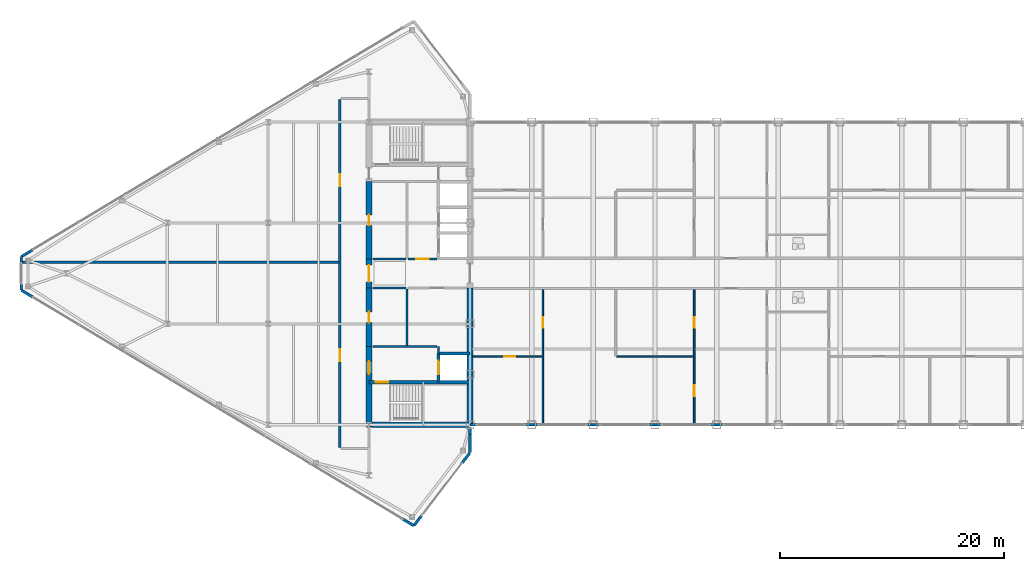
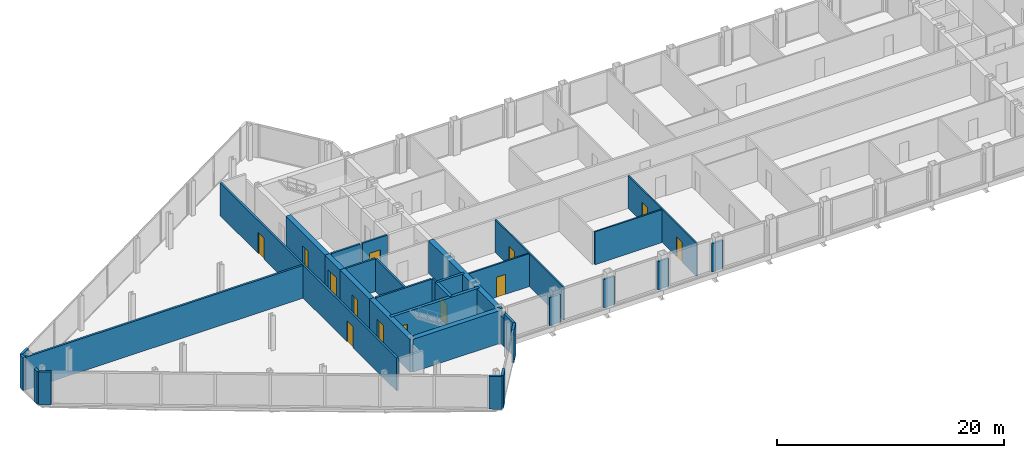
# One storey, part 21 of 28: 35 walls, 13 doors, 13 openings.
"""IFC4 building model written with IfcOpenShell, lengths in metres."""

from ifc_helpers import new_model, si_unit, direction, frame, frame_2d, origin, place, context, subcontext, project, spatial, rectangle, extrude, source, transform, mapped, material, layer, layer_set, type_object, type_shapes, element, fill, save


model = new_model("IFC4")

# Units and contexts
model_context = context("Model", 3, precision=1e-05, world=origin(), true_north=direction((0.0, 1.0)))
body_context = subcontext(model_context, "Body", "Model", "MODEL_VIEW")
ifc_project = project(units=[si_unit("LENGTHUNIT", "METRE"), si_unit("AREAUNIT", "SQUARE_METRE"), si_unit("VOLUMEUNIT", "CUBIC_METRE"), si_unit("PLANEANGLEUNIT", "RADIAN"), si_unit("MASSUNIT", "GRAM", prefix="KILO")], contexts=[model_context])

# Site, building, storey
site_placement = place(None, origin())
site = spatial("IfcSite", under=ifc_project, at=site_placement, CompositionType="ELEMENT")
building_placement = place(site_placement, origin())
building = spatial("IfcBuilding", under=site, at=building_placement, Name="Seokmaru Belvedere", CompositionType="ELEMENT")
storey_placement = place(building_placement, frame((0.0, 0.0, 261.89990234375)))
storey = spatial("IfcBuildingStorey", under=building, at=storey_placement, Name="L69", CompositionType="ELEMENT", Elevation=261.89990234375)

# Wall, opening, door
ifc_material_1 = material(Name="Fire-Rated Gypsum Shaftwall")
ifc_layer_1 = layer(ifc_material_1, 0.14990234375)
ifc_layer_set_1 = layer_set([ifc_layer_1], Name="Fire-Rated Gypsum Shaftwall")
wall_type_1 = type_object("IfcWallType", Name="Apartment Fire-Acoustic Room Partition 150", PredefinedType="PARTITIONING", material=ifc_layer_set_1)
wall_1_placement = place(storey_placement, frame((-27.2451171875, -7.419921875, 0.0), z_axis=(0.0, 0.0, 1.0), x_axis=(1.0, 0.0, 0.0)))
wall_1 = element("IfcWall", 1, at=wall_1_placement, inside=storey, type_object=wall_type_1, Name="L69 Interior Partition 004", PredefinedType="PARTITIONING", context=body_context, shape_type="SweptSolid", body=[
    extrude(rectangle(XDim=6.16015625, YDim=0.14990234375, at=frame_2d((3.080078125, 0.0))), origin(), (0.0, 0.0, 1.0), 3.530029296875),
])
opening_1_placement = place(wall_1_placement, frame((2.820068359375, 0.0, 0.0)))
opening_1 = element("IfcOpeningElement", 2, at=opening_1_placement, cuts=wall_1, Name="Opening D05", PredefinedType="OPENING", context=body_context, shape_type="SweptSolid", body=[
    extrude(rectangle(XDim=0.949951171875, YDim=2.14990234375, at=frame_2d((0.47509765625, 1.074951171875))), frame((0.0, 0.0849609375, 0.0), z_axis=(0.0, -1.0, 0.0), x_axis=(1.0, 0.0, 0.0)), (0.0, 0.0, 1.0), 0.169921875),
])
ifc_material_2 = material(Name="Engineered White Oak Timber", Category="wood")
door_type_1 = type_object("IfcDoorType", Name="Apartment Interior Fire-Rated Oak Door 950x2150", OperationType="NOTDEFINED", PredefinedType="DOOR", material=ifc_material_2)
shared_shape_1 = source(origin(), body_context, "Body", "SweptSolid", [
    extrude(rectangle(XDim=0.949951171875, YDim=2.14990234375, at=frame_2d((0.47509765625, 1.074951171875))), frame((0.0, 0.02490234375, 0.0), z_axis=(0.0, -1.0, 0.0), x_axis=(1.0, 0.0, 0.0)), (0.0, 0.0, 1.0), 0.050048828125),
])
type_shapes(door_type_1, [shared_shape_1])
door_1_placement = place(opening_1_placement, origin())
door_1 = element("IfcDoor", 3, at=door_1_placement, inside=storey, type_object=door_type_1, Name="L69 Interior Door 020", OperationType="SINGLE_SWING_RIGHT", OverallHeight=2.14990234375, OverallWidth=0.949951171875, PredefinedType="DOOR", context=body_context, shape_type="MappedRepresentation", body=[
    mapped(shared_shape_1, transform((0.0, 0.0, 0.0), scale=1.0)),
])
fill(opening_1, door_1)

# Wall
wall_2_placement = place(storey_placement, frame((-14.4150390625, -7.419921875, 0.0), z_axis=(0.0, 0.0, 1.0), x_axis=(1.0, 0.0, 0.0)))
element("IfcWall", 4, at=wall_2_placement, inside=storey, type_object=wall_type_1, Name="L69 Interior Partition 005", PredefinedType="PARTITIONING", context=body_context, shape_type="SweptSolid", body=[
    extrude(rectangle(XDim=6.830078125, YDim=0.14990234375, at=frame_2d((3.4150390625, 0.0))), origin(), (0.0, 0.0, 1.0), 3.530029296875),
])

# Wall, opening, door
wall_3_placement = place(storey_placement, frame((-21.0, -13.5, 0.0), z_axis=(0.0, 0.0, 1.0), x_axis=(0.0, 1.0, 0.0)))
wall_3 = element("IfcWall", 5, at=wall_3_placement, inside=storey, type_object=wall_type_1, Name="L69 Interior Partition 025", PredefinedType="PARTITIONING", context=body_context, shape_type="SweptSolid", body=[
    extrude(rectangle(XDim=12.06494140625, YDim=0.14990234375, at=frame_2d((6.032470703125, 0.0))), origin(), (0.0, 0.0, 1.0), 3.530029296875),
])
opening_2_placement = place(wall_3_placement, frame((8.637451171875, 0.0, 0.0)))
opening_2 = element("IfcOpeningElement", 6, at=opening_2_placement, cuts=wall_3, Name="Opening D05", PredefinedType="OPENING", context=body_context, shape_type="SweptSolid", body=[
    extrude(rectangle(XDim=0.949951171875, YDim=2.14990234375, at=frame_2d((0.47509765625, 1.074951171875))), frame((0.0, 0.0849609375, 0.0), z_axis=(0.0, -1.0, 0.0), x_axis=(1.0, 0.0, 0.0)), (0.0, 0.0, 1.0), 0.169921875),
])
door_2_placement = place(opening_2_placement, origin())
door_2 = element("IfcDoor", 7, at=door_2_placement, inside=storey, type_object=door_type_1, Name="L69 Interior Door 019", OperationType="SINGLE_SWING_LEFT", OverallHeight=2.14990234375, OverallWidth=0.949951171875, PredefinedType="DOOR", context=body_context, shape_type="MappedRepresentation", body=[
    mapped(shared_shape_1, transform((0.0, 0.0, 0.0), scale=1.0)),
])
fill(opening_2, door_2)

# Wall, openings, doors
wall_4_placement = place(storey_placement, frame((-7.5, -13.5, 0.0), z_axis=(0.0, 0.0, 1.0), x_axis=(0.0, 1.0, 0.0)))
wall_4 = element("IfcWall", 8, at=wall_4_placement, inside=storey, type_object=wall_type_1, Name="L69 Interior Partition 029", PredefinedType="PARTITIONING", context=body_context, shape_type="SweptSolid", body=[
    extrude(rectangle(XDim=12.06494140625, YDim=0.14990234375, at=frame_2d((6.032470703125, 0.0))), origin(), (0.0, 0.0, 1.0), 3.530029296875),
])
opening_3_placement = place(wall_4_placement, frame((8.637451171875, 0.0, 0.0)))
opening_3 = element("IfcOpeningElement", 9, at=opening_3_placement, cuts=wall_4, Name="Opening D05", PredefinedType="OPENING", context=body_context, shape_type="SweptSolid", body=[
    extrude(rectangle(XDim=0.949951171875, YDim=2.14990234375, at=frame_2d((0.47509765625, 1.074951171875))), frame((0.0, 0.0849609375, 0.0), z_axis=(0.0, -1.0, 0.0), x_axis=(1.0, 0.0, 0.0)), (0.0, 0.0, 1.0), 0.169921875),
])
opening_4_placement = place(wall_4_placement, frame((2.5625, 0.0, 0.0)))
opening_4 = element("IfcOpeningElement", 10, at=opening_4_placement, cuts=wall_4, Name="Opening D05", PredefinedType="OPENING", context=body_context, shape_type="SweptSolid", body=[
    extrude(rectangle(XDim=0.949951171875, YDim=2.14990234375, at=frame_2d((0.47509765625, 1.074951171875))), frame((0.0, 0.0849609375, 0.0), z_axis=(0.0, -1.0, 0.0), x_axis=(1.0, 0.0, 0.0)), (0.0, 0.0, 1.0), 0.169921875),
])
door_3_placement = place(opening_3_placement, origin())
door_3 = element("IfcDoor", 11, at=door_3_placement, inside=storey, type_object=door_type_1, Name="L69 Interior Door 017", OperationType="SINGLE_SWING_LEFT", OverallHeight=2.14990234375, OverallWidth=0.949951171875, PredefinedType="DOOR", context=body_context, shape_type="MappedRepresentation", body=[
    mapped(shared_shape_1, transform((0.0, 0.0, 0.0), scale=1.0)),
])
fill(opening_3, door_3)
door_4_placement = place(opening_4_placement, origin())
door_4 = element("IfcDoor", 12, at=door_4_placement, inside=storey, type_object=door_type_1, Name="L69 Interior Door 018", OperationType="SINGLE_SWING_RIGHT", OverallHeight=2.14990234375, OverallWidth=0.949951171875, PredefinedType="DOOR", context=body_context, shape_type="MappedRepresentation", body=[
    mapped(shared_shape_1, transform((0.0, 0.0, 0.0), scale=1.0)),
])
fill(opening_4, door_4)

# Walls
ifc_material_3 = material(Name="Anodised Bronze Aluminium", Category="aluminium")
ifc_layer_2 = layer(ifc_material_3, 0.2099609375)
ifc_layer_set_2 = layer_set([ifc_layer_2], Name="Anodised Bronze Aluminium")
wall_type_2 = type_object("IfcWallType", Name="Bridge Column Spandrel Closure Pier 210", PredefinedType="SOLIDWALL", material=ifc_layer_set_2)
wall_5_placement = place(storey_placement, frame((-27.489990234375, -13.5, 0.0), z_axis=(0.0, 0.0, 1.0), x_axis=(1.0, 0.0, 0.0)))
element("IfcWall", 13, at=wall_5_placement, inside=storey, type_object=wall_type_2, Name="L69 Bridge South Column Closure Pier 01", PredefinedType="SOLIDWALL", context=body_context, shape_type="SweptSolid", body=[
    extrude(rectangle(XDim=0.5400390625, YDim=0.2099609375, at=frame_2d((0.27001953125, 0.0))), origin(), (0.0, 0.0, 1.0), 3.030029296875),
])
for number, where, z_axis, x_axis, name in (
    (14, (-22.550048828125, -13.5, 0.0), (0.0, 0.0, 1.0), (1.0, 0.0, 0.0), "L69 Bridge South Column Closure Pier 02"),
    (15, (-17.050048828125, -13.5, 0.0), (0.0, 0.0, 1.0), (1.0, 0.0, 0.0), "L69 Bridge South Column Closure Pier 03"),
    (16, (-11.550048828125, -13.5, 0.0), (0.0, 0.0, 1.0), (1.0, 0.0, 0.0), "L69 Bridge South Column Closure Pier 04"),
    (17, (-6.050048828125, -13.5, 0.0), (0.0, 0.0, 1.0), (1.0, 0.0, 0.0), "L69 Bridge South Column Closure Pier 05"),
):
    element("IfcWall", number, at=place(storey_placement, frame(where, z_axis=z_axis, x_axis=x_axis)), inside=storey, type_object=wall_type_2, Name=name, PredefinedType="SOLIDWALL", context=body_context, shape_type="SweptSolid", body=[
        extrude(rectangle(XDim=1.10009765625, YDim=0.2099609375, at=frame_2d((0.550048828125, 0.0))), origin(), (0.0, 0.0, 1.0), 3.030029296875),
    ])
ifc_layer_3 = layer(ifc_material_1, 0.179931640625)
ifc_layer_set_3 = layer_set([ifc_layer_3], Name="Fire-Rated Gypsum Shaftwall")
wall_type_3 = type_object("IfcWallType", Name="Core Service Fire Partition 180", PredefinedType="PARTITIONING", material=ifc_layer_set_3)
wall_6_placement = place(storey_placement, frame((-36.14990234375, -6.5, 0.0), z_axis=(0.0, 0.0, 1.0), x_axis=(1.0, 0.0, 0.0)))
element("IfcWall", 18, at=wall_6_placement, inside=storey, type_object=wall_type_3, Name="L69 West Firefighting Lobby Partition", PredefinedType="PARTITIONING", context=body_context, shape_type="SweptSolid", body=[
    extrude(rectangle(XDim=5.699951171875, YDim=0.179931640625, at=frame_2d((2.85009765625, 0.0))), origin(), (0.0, 0.0, 1.0), 3.530029296875),
])
wall_7_placement = place(storey_placement, frame((-30.300048828125, -7.1201171875, 0.0), z_axis=(0.0, 0.0, 1.0), x_axis=(0.0, 1.0, 0.0)))
element("IfcWall", 19, at=wall_7_placement, inside=storey, type_object=wall_type_3, Name="L69 West Firefighting Lobby East Closure Wall", PredefinedType="PARTITIONING", context=body_context, shape_type="SweptSolid", body=[
    extrude(rectangle(XDim=0.6201171875, YDim=0.179931640625, at=frame_2d((0.31005859375, 0.0))), origin(), (0.0, 0.0, 1.0), 3.530029296875),
])
wall_8_placement = place(storey_placement, frame((-33.10009765625, -6.419921875, 0.0), z_axis=(0.0, 0.0, 1.0), x_axis=(0.0, 1.0, 0.0)))
element("IfcWall", 20, at=wall_8_placement, inside=storey, type_object=wall_type_3, Name="L69 West South Core Service Back Wall", PredefinedType="PARTITIONING", context=body_context, shape_type="SweptSolid", body=[
    extrude(rectangle(XDim=5.0400390625, YDim=0.179931640625, at=frame_2d((2.52001953125, 0.0))), origin(), (0.0, 0.0, 1.0), 3.530029296875),
])

# Wall, opening, door
wall_9_placement = place(storey_placement, frame((-33.02001953125, 1.300048828125, 0.0), z_axis=(0.0, 0.0, 1.0), x_axis=(1.0, 0.0, 0.0)))
wall_9 = element("IfcWall", 21, at=wall_9_placement, inside=storey, type_object=wall_type_3, Name="L69 West North Lift Lobby Foyer Wall", PredefinedType="PARTITIONING", context=body_context, shape_type="SweptSolid", body=[
    extrude(rectangle(XDim=2.570068359375, YDim=0.179931640625, at=frame_2d((1.28515625, 0.0))), origin(), (0.0, 0.0, 1.0), 3.530029296875),
])
opening_5_placement = place(wall_9_placement, frame((0.7099609375, 0.0, 0.0)))
opening_5 = element("IfcOpeningElement", 22, at=opening_5_placement, cuts=wall_9, Name="Opening D02", PredefinedType="OPENING", context=body_context, shape_type="SweptSolid", body=[
    extrude(rectangle(XDim=1.14990234375, YDim=2.199951171875, at=frame_2d((0.574951171875, 1.10009765625))), frame((0.0, 0.10009765625, 0.0), z_axis=(0.0, -1.0, 0.0), x_axis=(1.0, 0.0, 0.0)), (0.0, 0.0, 1.0), 0.199951171875),
])
ifc_material_4 = material(Name="Fire-Rated Steel Leaf", Category="steel")
door_type_2 = type_object("IfcDoorType", Name="Lobby and Vestibule Fire Door 1150x2200", OperationType="NOTDEFINED", PredefinedType="DOOR", material=ifc_material_4)
shared_shape_2 = source(origin(), body_context, "Body", "SweptSolid", [
    extrude(rectangle(XDim=1.14990234375, YDim=2.199951171875, at=frame_2d((0.574951171875, 1.10009765625))), frame((0.0, 0.02490234375, 0.0), z_axis=(0.0, -1.0, 0.0), x_axis=(1.0, 0.0, 0.0)), (0.0, 0.0, 1.0), 0.050048828125),
])
type_shapes(door_type_2, [shared_shape_2])
door_5_placement = place(opening_5_placement, origin())
door_5 = element("IfcDoor", 23, at=door_5_placement, inside=storey, type_object=door_type_2, Name="L69 West North Lift Lobby Door", OperationType="SINGLE_SWING_RIGHT", OverallHeight=2.199951171875, OverallWidth=1.14990234375, PredefinedType="DOOR", context=body_context, shape_type="MappedRepresentation", body=[
    mapped(shared_shape_2, transform((0.0, 0.0, 0.0), scale=1.0)),
])
fill(opening_5, door_5)

# Walls
for number, where, z_axis, x_axis, name in (
    (24, (-36.14990234375, -1.300048828125, 0.0), (0.0, 0.0, 1.0), (1.0, 0.0, 0.0), "L69 West Foyer Side Wall S"),
    (25, (-36.14990234375, 1.300048828125, 0.0), (0.0, 0.0, 1.0), (1.0, 0.0, 0.0), "L69 West Foyer Side Wall N"),
):
    element("IfcWall", number, at=place(storey_placement, frame(where, z_axis=z_axis, x_axis=x_axis)), inside=storey, type_object=wall_type_3, Name=name, PredefinedType="PARTITIONING", context=body_context, shape_type="SweptSolid", body=[
        extrude(rectangle(XDim=2.949951171875, YDim=0.179931640625, at=frame_2d((1.47509765625, 0.0))), origin(), (0.0, 0.0, 1.0), 3.530029296875),
    ])
ifc_material_5 = material(Name="Concrete C50 (50 MPa)", Category="concrete")
ifc_layer_4 = layer(ifc_material_5, 0.25)
ifc_layer_set_4 = layer_set([ifc_layer_4], Name="Concrete C50 (50 MPa)")
wall_type_4 = type_object("IfcWallType", Name="Hoistway Transverse Concrete Divider Wall 250", PredefinedType="SHEAR", material=ifc_layer_set_4)
wall_10_placement = place(storey_placement, frame((-30.300048828125, -7.14990234375, 0.0), z_axis=(0.0, 0.0, 1.0), x_axis=(1.0, 0.0, 0.0)))
element("IfcWall", 26, at=wall_10_placement, inside=storey, type_object=wall_type_4, Name="L69 West Hoistway Divider Core Wall 1", PredefinedType="SHEAR", context=body_context, shape_type="SweptSolid", body=[
    extrude(rectangle(XDim=2.800048828125, YDim=0.25, at=frame_2d((1.39990234375, 0.0))), origin(), (0.0, 0.0, 1.0), 3.530029296875),
])
ifc_layer_5 = layer(ifc_material_1, 0.199951171875)
ifc_layer_set_5 = layer_set([ifc_layer_5], Name="Fire-Rated Gypsum Shaftwall")
wall_type_5 = type_object("IfcWallType", Name="Inter-Tenancy Fire Compartment Partition 200", PredefinedType="PARTITIONING", material=ifc_layer_set_5)
wall_11_placement = place(storey_placement, frame((-67.375, 1.0, 0.0), z_axis=(0.0, 0.0, 1.0), x_axis=(1.0, 0.0, 0.0)))
element("IfcWall", 27, at=wall_11_placement, inside=storey, type_object=wall_type_5, Name="L69 Interior Partition 013", PredefinedType="PARTITIONING", context=body_context, shape_type="SweptSolid", body=[
    extrude(rectangle(XDim=28.195068359375, YDim=0.199951171875, at=frame_2d((14.09765625, 0.0))), origin(), (0.0, 0.0, 1.0), 3.530029296875),
])

# Wall, openings, doors
wall_12_placement = place(storey_placement, frame((-39.10009765625, -15.514892578125, 0.0), z_axis=(0.0, 0.0, 1.0), x_axis=(0.0, 1.0, 0.0)))
wall_12 = element("IfcWall", 28, at=wall_12_placement, inside=storey, type_object=wall_type_5, Name="L69 Interior Partition 022", PredefinedType="PARTITIONING", context=body_context, shape_type="SweptSolid", body=[
    extrude(rectangle(XDim=31.02978515625, YDim=0.199951171875, at=frame_2d((15.514892578125, 0.0))), origin(), (0.0, 0.0, 1.0), 3.530029296875),
])
opening_6_placement = place(wall_12_placement, frame((7.68994140625, 0.0, 0.0)))
opening_6 = element("IfcOpeningElement", 29, at=opening_6_placement, cuts=wall_12, Name="Opening D03", PredefinedType="OPENING", context=body_context, shape_type="SweptSolid", body=[
    extrude(rectangle(XDim=1.050048828125, YDim=2.25, at=frame_2d((0.52490234375, 1.125))), frame((0.0, 0.10986328125, 0.0), z_axis=(0.0, -1.0, 0.0), x_axis=(1.0, 0.0, 0.0)), (0.0, 0.0, 1.0), 0.219970703125),
])
opening_7_placement = place(wall_12_placement, frame((23.2900390625, 0.0, 0.0)))
opening_7 = element("IfcOpeningElement", 30, at=opening_7_placement, cuts=wall_12, Name="Opening D03", PredefinedType="OPENING", context=body_context, shape_type="SweptSolid", body=[
    extrude(rectangle(XDim=1.050048828125, YDim=2.25, at=frame_2d((0.52490234375, 1.125))), frame((0.0, 0.10986328125, 0.0), z_axis=(0.0, -1.0, 0.0), x_axis=(1.0, 0.0, 0.0)), (0.0, 0.0, 1.0), 0.219970703125),
])
door_type_3 = type_object("IfcDoorType", Name="Apartment Entrance Fire Door 1050x2250", OperationType="NOTDEFINED", PredefinedType="DOOR", material=ifc_material_4)
shared_shape_3 = source(origin(), body_context, "Body", "SweptSolid", [
    extrude(rectangle(XDim=1.050048828125, YDim=2.25, at=frame_2d((0.52490234375, 1.125))), frame((0.0, 0.02490234375, 0.0), z_axis=(0.0, -1.0, 0.0), x_axis=(1.0, 0.0, 0.0)), (0.0, 0.0, 1.0), 0.050048828125),
])
type_shapes(door_type_3, [shared_shape_3])
door_6_placement = place(opening_6_placement, origin())
door_6 = element("IfcDoor", 31, at=door_6_placement, inside=storey, type_object=door_type_3, Name="L69 Interior Door 001", OperationType="SINGLE_SWING_RIGHT", OverallHeight=2.25, OverallWidth=1.050048828125, PredefinedType="DOOR", context=body_context, shape_type="MappedRepresentation", body=[
    mapped(shared_shape_3, transform((0.0, 0.0, 0.0), scale=1.0)),
])
fill(opening_6, door_6)
door_7_placement = place(opening_7_placement, origin())
door_7 = element("IfcDoor", 32, at=door_7_placement, inside=storey, type_object=door_type_3, Name="L69 Interior Door 002", OperationType="SINGLE_SWING_LEFT", OverallHeight=2.25, OverallWidth=1.050048828125, PredefinedType="DOOR", context=body_context, shape_type="MappedRepresentation", body=[
    mapped(shared_shape_3, transform((0.0, 0.0, 0.0), scale=1.0)),
])
fill(opening_7, door_7)

# Wall, opening, door
ifc_layer_6 = layer(ifc_material_5, 0.300048828125)
ifc_layer_set_6 = layer_set([ifc_layer_6], Name="Concrete C50 (50 MPa)")
wall_type_6 = type_object("IfcWallType", Name="Internal Core Stair and Hoistway Wall 300", PredefinedType="SHEAR", material=ifc_layer_set_6)
wall_13_placement = place(storey_placement, frame((-36.5, -9.699951171875, 0.0), z_axis=(0.0, 0.0, 1.0), x_axis=(1.0, 0.0, 0.0)))
wall_13 = element("IfcWall", 33, at=wall_13_placement, inside=storey, type_object=wall_type_6, Name="L69 West Stair ST-1 Enclosure Wall", PredefinedType="SHEAR", context=body_context, shape_type="SweptSolid", body=[
    extrude(rectangle(XDim=9.0, YDim=0.300048828125, at=frame_2d((4.5, 0.0))), origin(), (0.0, 0.0, 1.0), 3.530029296875),
])
opening_8_placement = place(wall_13_placement, frame((0.60009765625, 0.0, 0.0)))
opening_8 = element("IfcOpeningElement", 34, at=opening_8_placement, cuts=wall_13, Name="Opening D01", PredefinedType="OPENING", context=body_context, shape_type="SweptSolid", body=[
    extrude(rectangle(XDim=1.10009765625, YDim=2.199951171875, at=frame_2d((0.550048828125, 1.10009765625))), frame((0.0, 0.16015625, 0.0), z_axis=(0.0, -1.0, 0.0), x_axis=(1.0, 0.0, 0.0)), (0.0, 0.0, 1.0), 0.320068359375),
])
door_type_4 = type_object("IfcDoorType", Name="Special Escape Stair Smokeproof Fire Door 1100x2200", OperationType="NOTDEFINED", PredefinedType="DOOR", material=ifc_material_4)
shared_shape_4 = source(origin(), body_context, "Body", "SweptSolid", [
    extrude(rectangle(XDim=1.10009765625, YDim=2.199951171875, at=frame_2d((0.550048828125, 1.10009765625))), frame((0.0, 0.02490234375, 0.0), z_axis=(0.0, -1.0, 0.0), x_axis=(1.0, 0.0, 0.0)), (0.0, 0.0, 1.0), 0.050048828125),
])
type_shapes(door_type_4, [shared_shape_4])
door_8_placement = place(opening_8_placement, frame((1.10009765625, 0.0, 0.0), z_axis=(0.0, 0.0, 1.0), x_axis=(-1.0, 0.0, 0.0)))
door_8 = element("IfcDoor", 35, at=door_8_placement, inside=storey, type_object=door_type_4, Name="L69 West Special Escape Stair ST-1 Door", OperationType="SINGLE_SWING_LEFT", OverallHeight=2.199951171875, OverallWidth=1.10009765625, PredefinedType="DOOR", context=body_context, shape_type="MappedRepresentation", body=[
    mapped(shared_shape_4, transform((0.0, 0.0, 0.0), scale=1.0)),
])
fill(opening_8, door_8)

wall_14_placement = place(storey_placement, frame((-30.300048828125, -9.679931640625, 0.0), z_axis=(0.0, 0.0, 1.0), x_axis=(0.0, 1.0, 0.0)))
wall_14 = element("IfcWall", 36, at=wall_14_placement, inside=storey, type_object=wall_type_6, Name="L69 West Firefighting Lift Shaft Front Wall", PredefinedType="SHEAR", context=body_context, shape_type="SweptSolid", body=[
    extrude(rectangle(XDim=2.559814453125, YDim=0.300048828125, at=frame_2d((1.27978515625, 0.0))), origin(), (0.0, 0.0, 1.0), 3.530029296875),
])
opening_9_placement = place(wall_14_placement, frame((0.679931640625, 0.0, 0.0)))
opening_9 = element("IfcOpeningElement", 37, at=opening_9_placement, cuts=wall_14, Name="Opening LD2", PredefinedType="OPENING", context=body_context, shape_type="SweptSolid", body=[
    extrude(rectangle(XDim=1.199951171875, YDim=2.25, at=frame_2d((0.60009765625, 1.125))), frame((0.0, 0.16015625, 0.0), z_axis=(0.0, -1.0, 0.0), x_axis=(1.0, 0.0, 0.0)), (0.0, 0.0, 1.0), 0.320068359375),
])
ifc_material_6 = material(Name="Stainless Steel 316", Category="steel")
door_type_5 = type_object("IfcDoorType", Name="Firefighting Lift Sliding Landing Door 1200x2250", OperationType="DOUBLE_DOOR_SLIDING", PredefinedType="DOOR", material=ifc_material_6)
shared_shape_5 = source(origin(), body_context, "Body", "SweptSolid", [
    extrude(rectangle(XDim=1.199951171875, YDim=2.25, at=frame_2d((0.60009765625, 1.125))), frame((0.0, 0.02490234375, 0.0), z_axis=(0.0, -1.0, 0.0), x_axis=(1.0, 0.0, 0.0)), (0.0, 0.0, 1.0), 0.050048828125),
])
type_shapes(door_type_5, [shared_shape_5])
door_9_placement = place(opening_9_placement, origin())
door_9 = element("IfcDoor", 38, at=door_9_placement, inside=storey, type_object=door_type_5, Name="L69 West Firefighting Lift Landing Door", OperationType="DOUBLE_DOOR_SLIDING", OverallHeight=2.25, OverallWidth=1.199951171875, PredefinedType="DOOR", context=body_context, shape_type="MappedRepresentation", body=[
    mapped(shared_shape_5, transform((0.0, 0.0, 0.0), scale=1.0)),
])
fill(opening_9, door_9)

# Walls
ifc_layer_7 = layer(ifc_material_3, 0.239990234375)
ifc_layer_set_7 = layer_set([ifc_layer_7], Name="Anodised Bronze Aluminium")
wall_type_7 = type_object("IfcWallType", Name="Tower Corner Spandrel Closure Wall 240", PredefinedType="SOLIDWALL", material=ifc_layer_set_7)
wall_15_placement = place(storey_placement, frame((-27.5, -15.97998046875, 0.0), z_axis=(0.0, 0.0, 1.0), x_axis=(0.0, 1.0, 0.0)))
element("IfcWall", 39, at=wall_15_placement, inside=storey, type_object=wall_type_7, Name="L69 W Shoulder Closure Wall 1", PredefinedType="SOLIDWALL", context=body_context, shape_type="SweptSolid", body=[
    extrude(rectangle(XDim=1.605224609375, YDim=0.239990234375, at=frame_2d((0.802734375, 0.0))), origin(), (0.0, 0.0, 1.0), 3.530029296875),
])
wall_16_placement = place(storey_placement, frame((-27.5, -14.374755859375, 0.0), z_axis=(0.0, 0.0, 1.0), x_axis=(0.0, 1.0, 0.0)))
element("IfcWall", 40, at=wall_16_placement, inside=storey, type_object=wall_type_7, Name="L69 W Shoulder Closure Wall 1 Part 2", PredefinedType="SOLIDWALL", context=body_context, shape_type="SweptSolid", body=[
    extrude(rectangle(XDim=0.619873046875, YDim=0.239990234375, at=frame_2d((0.31005859375, 0.0))), origin(), (0.0, 0.0, 1.0), 3.030029296875),
])
wall_17_placement = place(storey_placement, frame((-66.513916015625, 2.091796875, 0.0), z_axis=(0.0, 0.0, 1.0), x_axis=(-0.85743623509, -0.514590228002, 0.0)))
element("IfcWall", 41, at=wall_17_placement, inside=storey, type_object=wall_type_7, Name="L69 W Corner Closure Pier 3B", PredefinedType="SOLIDWALL", context=body_context, shape_type="SweptSolid", body=[
    extrude(rectangle(XDim=1.14013671875, YDim=0.239990234375, at=frame_2d((0.570068359375, 0.0))), origin(), (0.0, 0.0, 1.0), 3.530029296875),
])
for number, where, z_axis, x_axis, name in (
    (42, (-67.5, 1.489990234375, 0.0), (0.0, 0.0, 1.0), (0.0, -1.0, 0.0), "L69 W Apex Closure Pier 4A"),
    (43, (-67.5, -0.949951171875, 0.0), (0.0, 0.0, 1.0), (0.0, -1.0, 0.0), "L69 W Apex Closure Pier 4B"),
):
    element("IfcWall", number, at=place(storey_placement, frame(where, z_axis=z_axis, x_axis=x_axis)), inside=storey, type_object=wall_type_7, Name=name, PredefinedType="SOLIDWALL", context=body_context, shape_type="SweptSolid", body=[
        extrude(rectangle(XDim=0.5400390625, YDim=0.239990234375, at=frame_2d((0.27001953125, 0.0))), origin(), (0.0, 0.0, 1.0), 3.530029296875),
    ])
for number, where, z_axis, x_axis, name in (
    (44, (-67.491455078125, -1.505126953125, 0.0), (0.0, 0.0, 1.0), (0.85743623509, -0.514590228002, 0.0), "L69 W Corner Closure Pier 5A"),
    (45, (-33.486083984375, -21.908203125, 0.0), (0.0, 0.0, 1.0), (0.85743623509, -0.514590228002, 0.0), "L69 W Corner Closure Pier 5B"),
    (46, (-32.493896484375, -22.4921875, 0.0), (0.0, 0.0, 1.0), (0.609617623633, 0.792695624408, 0.0), "L69 W Corner Closure Pier 6A"),
    (47, (-28.201171875, -16.91162109375, 0.0), (0.0, 0.0, 1.0), (0.609617623633, 0.792695624408, 0.0), "L69 W Corner Closure Pier 6B"),
):
    element("IfcWall", number, at=place(storey_placement, frame(where, z_axis=z_axis, x_axis=x_axis)), inside=storey, type_object=wall_type_7, Name=name, PredefinedType="SOLIDWALL", context=body_context, shape_type="SweptSolid", body=[
        extrude(rectangle(XDim=1.14013671875, YDim=0.239990234375, at=frame_2d((0.570068359375, 0.0))), origin(), (0.0, 0.0, 1.0), 3.530029296875),
    ])
ifc_layer_8 = layer(ifc_material_5, 0.5)
ifc_layer_set_8 = layer_set([ifc_layer_8], Name="Concrete C50 (50 MPa)")
wall_type_8 = type_object("IfcWallType", Name="Upper Tower Reinforced Concrete Core Wall 500", PredefinedType="SHEAR", material=ifc_layer_set_8)
wall_18_placement = place(storey_placement, frame((-27.5, -13.5, 0.0), z_axis=(0.0, 0.0, 1.0), x_axis=(0.0, 1.0, 0.0)))
element("IfcWall", 48, at=wall_18_placement, inside=storey, type_object=wall_type_8, Name="L69 West Portal Spine Core Wall South", PredefinedType="SHEAR", context=body_context, shape_type="SweptSolid", body=[
    extrude(rectangle(XDim=12.199951171875, YDim=0.5, at=frame_2d((6.10009765625, 0.0))), origin(), (0.0, 0.0, 1.0), 3.530029296875),
])
wall_19_placement = place(storey_placement, frame((-36.5, -13.5, 0.0), z_axis=(0.0, 0.0, 1.0), x_axis=(1.0, 0.0, 0.0)))
element("IfcWall", 49, at=wall_19_placement, inside=storey, type_object=wall_type_8, Name="L69 West South Core Wall", PredefinedType="SHEAR", context=body_context, shape_type="SweptSolid", body=[
    extrude(rectangle(XDim=9.0, YDim=0.5, at=frame_2d((4.5, 0.0))), origin(), (0.0, 0.0, 1.0), 3.530029296875),
])

# Wall, opening, door
wall_20_placement = place(storey_placement, frame((-36.5, -13.64990234375, 0.0), z_axis=(0.0, 0.0, 1.0), x_axis=(0.0, 1.0, 0.0)))
wall_20 = element("IfcWall", 50, at=wall_20_placement, inside=storey, type_object=wall_type_8, Name="L69 West West Core Wall FF", PredefinedType="SHEAR", context=body_context, shape_type="SweptSolid", body=[
    extrude(rectangle(XDim=7.14990234375, YDim=0.5, at=frame_2d((3.574951171875, 0.0))), origin(), (0.0, 0.0, 1.0), 3.530029296875),
])
opening_10_placement = place(wall_20_placement, frame((4.675048828125, 0.0, 0.0)))
opening_10 = element("IfcOpeningElement", 51, at=opening_10_placement, cuts=wall_20, Name="Opening D02", PredefinedType="OPENING", context=body_context, shape_type="SweptSolid", body=[
    extrude(rectangle(XDim=1.14990234375, YDim=2.199951171875, at=frame_2d((0.574951171875, 1.10009765625))), frame((0.0, 0.260009765625, 0.0), z_axis=(0.0, -1.0, 0.0), x_axis=(1.0, 0.0, 0.0)), (0.0, 0.0, 1.0), 0.52001953125),
])
door_10_placement = place(opening_10_placement, frame((1.14990234375, 0.0, 0.0), z_axis=(0.0, 0.0, 1.0), x_axis=(-1.0, 0.0, 0.0)))
door_10 = element("IfcDoor", 52, at=door_10_placement, inside=storey, type_object=door_type_2, Name="L69 West Firefighting Lobby Door", OperationType="SINGLE_SWING_LEFT", OverallHeight=2.199951171875, OverallWidth=1.14990234375, PredefinedType="DOOR", context=body_context, shape_type="MappedRepresentation", body=[
    mapped(shared_shape_2, transform((0.0, 0.0, 0.0), scale=1.0)),
])
fill(opening_10, door_10)

wall_21_placement = place(storey_placement, frame((-36.5, -1.300048828125, 0.0), z_axis=(0.0, 0.0, 1.0), x_axis=(0.0, 1.0, 0.0)))
wall_21 = element("IfcWall", 53, at=wall_21_placement, inside=storey, type_object=wall_type_8, Name="L69 West West Core Wall FOY", PredefinedType="SHEAR", context=body_context, shape_type="SweptSolid", body=[
    extrude(rectangle(XDim=2.60009765625, YDim=0.5, at=frame_2d((1.300048828125, 0.0))), origin(), (0.0, 0.0, 1.0), 3.530029296875),
])
opening_11_placement = place(wall_21_placement, frame((0.550048828125, 0.0, 0.0)))
opening_11 = element("IfcOpeningElement", 54, at=opening_11_placement, cuts=wall_21, Name="Opening D08", PredefinedType="OPENING", context=body_context, shape_type="SweptSolid", body=[
    extrude(rectangle(XDim=1.5, YDim=2.300048828125, at=frame_2d((0.75, 1.14990234375))), frame((0.0, 0.260009765625, 0.0), z_axis=(0.0, -1.0, 0.0), x_axis=(1.0, 0.0, 0.0)), (0.0, 0.0, 1.0), 0.52001953125),
])
door_type_6 = type_object("IfcDoorType", Name="Cross-Corridor Compartment Double Fire Door 1500x2300", OperationType="DOUBLE_SWING_LEFT", PredefinedType="DOOR", material=ifc_material_4)
shared_shape_6 = source(origin(), body_context, "Body", "SweptSolid", [
    extrude(rectangle(XDim=1.5, YDim=2.300048828125, at=frame_2d((0.75, 1.14990234375))), frame((0.0, 0.02490234375, 0.0), z_axis=(0.0, -1.0, 0.0), x_axis=(1.0, 0.0, 0.0)), (0.0, 0.0, 1.0), 0.050048828125),
])
type_shapes(door_type_6, [shared_shape_6])
door_11_placement = place(opening_11_placement, origin())
door_11 = element("IfcDoor", 55, at=door_11_placement, inside=storey, type_object=door_type_6, Name="L69 West Core Foyer Compartment Door", OperationType="DOUBLE_SWING_LEFT", OverallHeight=2.300048828125, OverallWidth=1.5, PredefinedType="DOOR", context=body_context, shape_type="MappedRepresentation", body=[
    mapped(shared_shape_6, transform((0.0, 0.0, 0.0), scale=1.0)),
])
fill(opening_11, door_11)

wall_22_placement = place(storey_placement, frame((-36.5, -6.5, 0.0), z_axis=(0.0, 0.0, 1.0), x_axis=(0.0, 1.0, 0.0)))
wall_22 = element("IfcWall", 56, at=wall_22_placement, inside=storey, type_object=wall_type_8, Name="L69 West West Core Wall CS1", PredefinedType="SHEAR", context=body_context, shape_type="SweptSolid", body=[
    extrude(rectangle(XDim=5.199951171875, YDim=0.5, at=frame_2d((2.60009765625, 0.0))), origin(), (0.0, 0.0, 1.0), 3.530029296875),
])
opening_12_placement = place(wall_22_placement, frame((2.125, 0.0, 0.0)))
opening_12 = element("IfcOpeningElement", 57, at=opening_12_placement, cuts=wall_22, Name="Opening D04", PredefinedType="OPENING", context=body_context, shape_type="SweptSolid", body=[
    extrude(rectangle(XDim=0.949951171875, YDim=2.14990234375, at=frame_2d((0.47509765625, 1.074951171875))), frame((0.0, 0.260009765625, 0.0), z_axis=(0.0, -1.0, 0.0), x_axis=(1.0, 0.0, 0.0)), (0.0, 0.0, 1.0), 0.52001953125),
])
door_type_7 = type_object("IfcDoorType", Name="Core Service Room Fire Door 950x2150", OperationType="NOTDEFINED", PredefinedType="DOOR", material=ifc_material_4)
shared_shape_7 = source(origin(), body_context, "Body", "SweptSolid", [
    extrude(rectangle(XDim=0.949951171875, YDim=2.14990234375, at=frame_2d((0.47509765625, 1.074951171875))), frame((0.0, 0.02490234375, 0.0), z_axis=(0.0, -1.0, 0.0), x_axis=(1.0, 0.0, 0.0)), (0.0, 0.0, 1.0), 0.050048828125),
])
type_shapes(door_type_7, [shared_shape_7])
door_12_placement = place(opening_12_placement, origin())
door_12 = element("IfcDoor", 58, at=door_12_placement, inside=storey, type_object=door_type_7, Name="L69 West Core Service Room Door 1", OperationType="SINGLE_SWING_LEFT", OverallHeight=2.14990234375, OverallWidth=0.949951171875, PredefinedType="DOOR", context=body_context, shape_type="MappedRepresentation", body=[
    mapped(shared_shape_7, transform((0.0, 0.0, 0.0), scale=1.0)),
])
fill(opening_12, door_12)

wall_23_placement = place(storey_placement, frame((-36.5, 1.300048828125, 0.0), z_axis=(0.0, 0.0, 1.0), x_axis=(0.0, 1.0, 0.0)))
wall_23 = element("IfcWall", 59, at=wall_23_placement, inside=storey, type_object=wall_type_8, Name="L69 West West Core Wall CS2", PredefinedType="SHEAR", context=body_context, shape_type="SweptSolid", body=[
    extrude(rectangle(XDim=6.89990234375, YDim=0.5, at=frame_2d((3.449951171875, 0.0))), origin(), (0.0, 0.0, 1.0), 3.530029296875),
])
opening_13_placement = place(wall_23_placement, frame((2.97509765625, 0.0, 0.0)))
opening_13 = element("IfcOpeningElement", 60, at=opening_13_placement, cuts=wall_23, Name="Opening D04", PredefinedType="OPENING", context=body_context, shape_type="SweptSolid", body=[
    extrude(rectangle(XDim=0.949951171875, YDim=2.14990234375, at=frame_2d((0.47509765625, 1.074951171875))), frame((0.0, 0.260009765625, 0.0), z_axis=(0.0, -1.0, 0.0), x_axis=(1.0, 0.0, 0.0)), (0.0, 0.0, 1.0), 0.52001953125),
])
door_13_placement = place(opening_13_placement, origin())
door_13 = element("IfcDoor", 61, at=door_13_placement, inside=storey, type_object=door_type_7, Name="L69 West Core Service Room Door 2", OperationType="SINGLE_SWING_RIGHT", OverallHeight=2.14990234375, OverallWidth=0.949951171875, PredefinedType="DOOR", context=body_context, shape_type="MappedRepresentation", body=[
    mapped(shared_shape_7, transform((0.0, 0.0, 0.0), scale=1.0)),
])
fill(opening_13, door_13)

save(model, "model.ifc")
